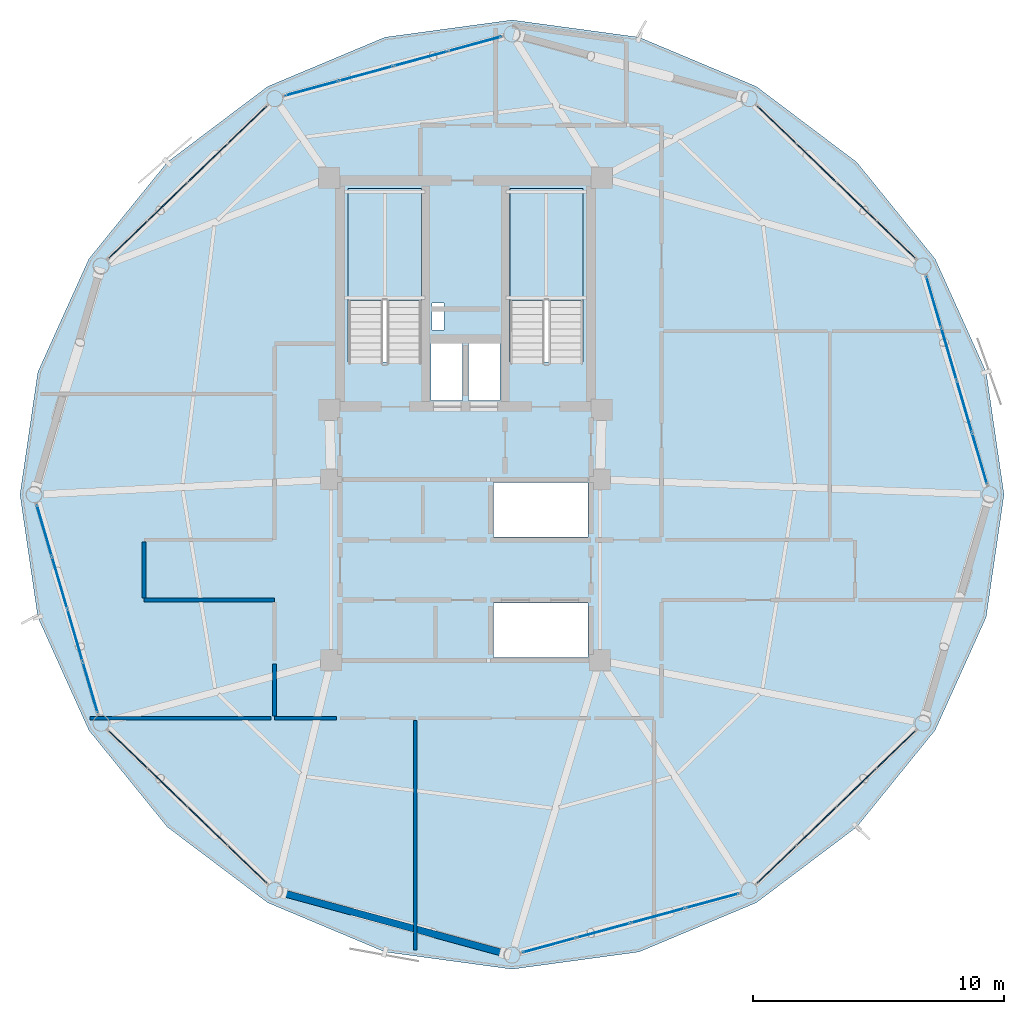
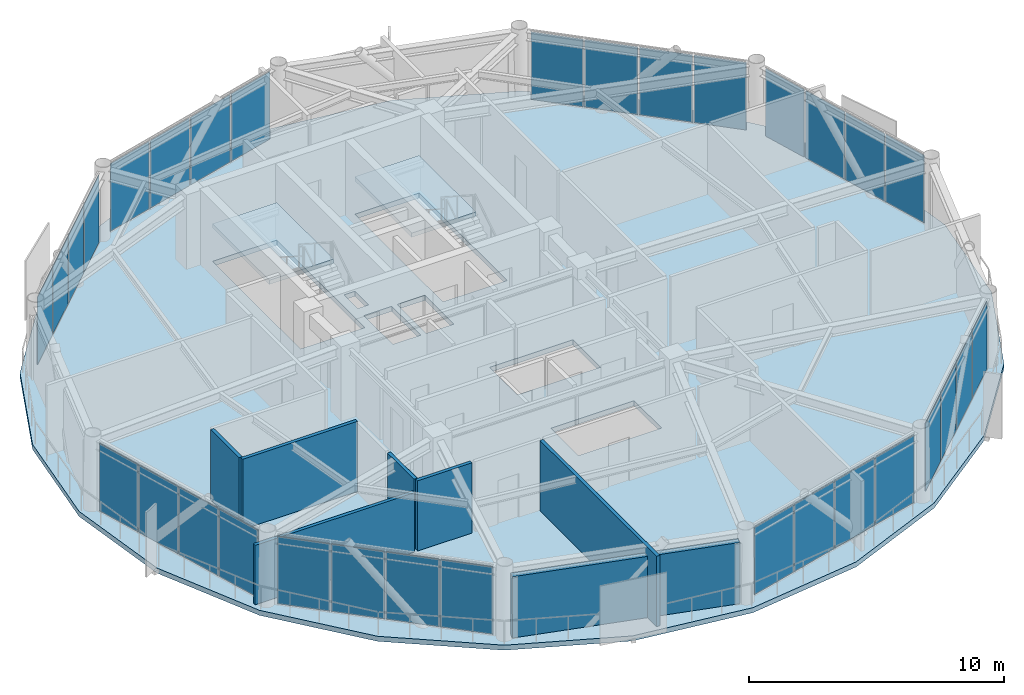
# One storey, part 20 of 26: 32 plates, 7 walls, 3 slabs, 10 elements without a shape of their own.
"""IFC4 building model written with IfcOpenShell, lengths in metres."""

from ifc_helpers import new_model, si_unit, direction, frame, frame_2d, origin, origin_2d, place, context, subcontext, project, spatial, polyline, rectangle, outline, extrude, source, transform, mapped, material, layer, layer_set, type_object, type_shapes, element, aggregate, save


model = new_model("IFC4")

# Units and contexts
model_context = context("Model", 3, precision=1e-05, world=origin(), true_north=direction((0.0, 1.0)))
body_context = subcontext(model_context, "Body", "Model", "MODEL_VIEW")
ifc_project = project(units=[si_unit("LENGTHUNIT", "METRE"), si_unit("AREAUNIT", "SQUARE_METRE"), si_unit("VOLUMEUNIT", "CUBIC_METRE"), si_unit("PLANEANGLEUNIT", "RADIAN"), si_unit("MASSUNIT", "GRAM", prefix="KILO")], contexts=[model_context])

# Site, building, storey
site_placement = place(None, origin())
site = spatial("IfcSite", under=ifc_project, at=site_placement, CompositionType="ELEMENT")
building_placement = place(site_placement, origin())
building = spatial("IfcBuilding", under=site, at=building_placement, Name="Varnakorn Sky Granary", CompositionType="ELEMENT")
storey_placement = place(building_placement, frame((0.0, 0.0, 218.39990234375)))
storey = spatial("IfcBuildingStorey", under=building, at=storey_placement, Name="L55", CompositionType="ELEMENT", Elevation=218.39990234375)

# Stair, slab
ifc_material_1 = material(Name="Concrete C40/50", Category="concrete")
stair_type = type_object("IfcStairType", Name="ST-MAIN-ASSEMBLY", PredefinedType="HALF_TURN_STAIR", material=ifc_material_1)
stair_1_placement = place(storey_placement, origin())
stair_1 = element("IfcStair", 1, at=stair_1_placement, inside=storey, type_object=stair_type, Name="L55 Protected Exit Stair ST-1", PredefinedType="HALF_TURN_STAIR")
ifc_layer_1 = layer(ifc_material_1, 0.199951171875, Name="Concrete C40/50")
ifc_layer_set_1 = layer_set([ifc_layer_1], Name="Concrete C40/50")
slab_type_1 = type_object("IfcSlabType", Name="ST-MAIN-LAND", PredefinedType="LANDING", material=ifc_layer_set_1)
slab_1_placement = place(storey_placement, frame((0.0, 0.0, 1.60009765625)))
slab_1 = element("IfcSlab", 2, at=slab_1_placement, type_object=slab_type_1, Name="ST-1 landing 1", PredefinedType="LANDING", context=body_context, shape_type="SweptSolid", body=[
    extrude(outline(polyline([(1.239990234375, 7.719970703125), (1.239990234375, 12.179931640625), (-1.669921875, 12.179931640625), (-1.669921875, 7.719970703125), (1.239990234375, 7.719970703125)])), origin(), (0.0, 0.0, 1.0), 0.199951171875),
])
aggregate(stair_1, [slab_1])

stair_2_placement = place(storey_placement, origin())
stair_2 = element("IfcStair", 3, at=stair_2_placement, inside=storey, type_object=stair_type, Name="L55 Protected Exit Stair ST-2", PredefinedType="HALF_TURN_STAIR")
slab_2_placement = place(storey_placement, frame((0.0, 0.0, 1.60009765625)))
slab_2 = element("IfcSlab", 4, at=slab_2_placement, type_object=slab_type_1, Name="ST-2 landing 1", PredefinedType="LANDING", context=body_context, shape_type="SweptSolid", body=[
    extrude(outline(polyline([(7.679931640625, 7.719970703125), (7.679931640625, 12.179931640625), (4.77001953125, 12.179931640625), (4.77001953125, 7.719970703125), (7.679931640625, 7.719970703125)])), origin(), (0.0, 0.0, 1.0), 0.199951171875),
])
aggregate(stair_2, [slab_2])

# Slab
ifc_material_2 = material(Name="Concrete C50/60", Category="concrete")
ifc_layer_2 = layer(ifc_material_2, 0.239990234375, Name="Concrete C50/60")
ifc_layer_set_2 = layer_set([ifc_layer_2], Name="Concrete C50/60")
slab_type_2 = type_object("IfcSlabType", Name="ST-SL-TWR-240", PredefinedType="FLOOR", material=ifc_layer_set_2)
slab_3_placement = place(storey_placement, frame((0.0, 0.0, -0.239990234375)))
element("IfcSlab", 5, at=slab_3_placement, inside=storey, type_object=slab_type_2, Name="Level L55 Structural Floor Slab", PredefinedType="FLOOR", context=body_context, shape_type="SweptSolid", body=[
    extrude(outline(polyline([(24.43701171875, 0.0), (23.72607421875, 4.87841796875), (21.69580078125, 9.37939453125), (18.57275390625, 13.23291015625), (14.575927734375, 16.245849609375), (9.90771484375, 18.206787109375), (4.85009765625, 18.89404296875), (-0.207763671875, 18.206787109375), (-4.8759765625, 16.245849609375), (-8.872802734375, 13.23291015625), (-11.995849609375, 9.37939453125), (-14.026123046875, 4.87841796875), (-14.737060546875, 0.0), (-14.026123046875, -4.87841796875), (-11.995849609375, -9.37939453125), (-8.872802734375, -13.23291015625), (-4.8759765625, -16.245849609375), (-0.207763671875, -18.206787109375), (4.85009765625, -18.89404296875), (9.90771484375, -18.206787109375), (14.575927734375, -16.245849609375), (18.57275390625, -13.23291015625), (21.69580078125, -9.37939453125), (23.72607421875, -4.87841796875), (24.43701171875, 0.0)]), holes=[polyline([(1.239990234375, 5.27490234375), (1.239990234375, 12.179931640625), (-1.669921875, 12.179931640625), (-1.669921875, 5.27490234375), (1.239990234375, 5.27490234375)]), polyline([(7.679931640625, 5.27490234375), (7.679931640625, 12.179931640625), (4.77001953125, 12.179931640625), (4.77001953125, 5.27490234375), (7.679931640625, 5.27490234375)]), polyline([(1.659912109375, 6.550048828125), (2.14990234375, 6.550048828125), (2.14990234375, 7.6201171875), (1.659912109375, 7.6201171875), (1.659912109375, 6.550048828125)]), polyline([(1.6201171875, 3.739990234375), (2.8798828125, 3.739990234375), (2.8798828125, 6.010009765625), (1.6201171875, 6.010009765625), (1.6201171875, 3.739990234375)]), polyline([(3.1201171875, 3.739990234375), (4.3798828125, 3.739990234375), (4.3798828125, 6.010009765625), (3.1201171875, 6.010009765625), (3.1201171875, 3.739990234375)]), polyline([(4.1201171875, -1.679931640625), (7.8798828125, -1.679931640625), (7.8798828125, 0.47998046875), (4.1201171875, 0.47998046875), (4.1201171875, -1.679931640625)]), polyline([(4.1201171875, -6.47998046875), (7.8798828125, -6.47998046875), (7.8798828125, -4.320068359375), (4.1201171875, -4.320068359375), (4.1201171875, -6.47998046875)])]), origin(), (0.0, 0.0, 1.0), 0.239990234375),
])

# Curtain wall, plates
ifc_material_3 = material(Name="Anodised Bronze Aluminium Alloy 6063-T6", Category="aluminium")
ifc_layer_3 = layer(ifc_material_3, 0.169921875, Name="Anodised Bronze Aluminium Alloy 6063-T6")
ifc_layer_set_3 = layer_set([ifc_layer_3], Name="Anodised Bronze Aluminium Alloy 6063-T6")
curtain_wall_type = type_object("IfcCurtainWallType", Name="CW-LAB-1", PredefinedType="USERDEFINED", material=ifc_layer_set_3)
curtain_wall_1_placement = place(storey_placement, origin())
curtain_wall_1 = element("IfcCurtainWall", 6, at=curtain_wall_1_placement, inside=storey, type_object=curtain_wall_type, Name="Unitised Curtain Wall CW5 CW-L55-B01", ObjectType="CURTAIN WALL", PredefinedType="USERDEFINED")
ifc_material_4 = material(Name="Low-E Tinted Laminated Glass", Category="glass")
ifc_layer_4 = layer(ifc_material_4, 0.033935546875, Name="Low-E Tinted Laminated Glass")
ifc_layer_set_4 = layer_set([ifc_layer_4], Name="Low-E Tinted Laminated Glass")
plate_type = type_object("IfcPlateType", Name="CW-LAB-1-PNL", PredefinedType="CURTAIN_PANEL")
shared_shape_1 = source(origin(), body_context, "Body", "SweptSolid", [
    extrude(rectangle(XDim=2.079345703125, YDim=0.033935546875, at=origin_2d()), origin(), (0.0, 0.0, 1.0), 3.219970703125),
])
plate_1_placement = place(storey_placement, frame((21.639892578125, 7.670166015625, 0.0703125), z_axis=(0.0, 0.0, 1.0), x_axis=(0.281149535416, -0.959663971781, 0.0)))
plate_1 = element("IfcPlate", 7, at=plate_1_placement, type_object=plate_type, material=ifc_layer_set_4, Name="CW5 vision glazing unit 1.1", PredefinedType="CURTAIN_PANEL", context=body_context, shape_type="MappedRepresentation", body=[
    mapped(shared_shape_1, transform((0.0, 0.0, 0.0), x_axis=(1.0, 0.0, 0.0), y_axis=(0.0, 1.0, 0.0), z_axis=(0.0, 0.0, 1.0), scale=1.0)),
])
plate_2_placement = place(storey_placement, frame((23.466796875, 1.434326171875, 0.0703125), z_axis=(0.0, 0.0, 1.0), x_axis=(0.281149535416, -0.959663971781, 0.0)))
plate_2 = element("IfcPlate", 8, at=plate_2_placement, type_object=plate_type, material=ifc_layer_set_4, Name="CW5 vision glazing unit 4.1", PredefinedType="CURTAIN_PANEL", context=body_context, shape_type="MappedRepresentation", body=[
    mapped(shared_shape_1, transform((0.0, 0.0, 0.0), x_axis=(1.0, 0.0, 0.0), y_axis=(0.0, 1.0, 0.0), z_axis=(0.0, 0.0, 1.0), scale=1.0)),
])

curtain_wall_2_placement = place(storey_placement, origin())
curtain_wall_2 = element("IfcCurtainWall", 9, at=curtain_wall_2_placement, inside=storey, type_object=curtain_wall_type, Name="Unitised Curtain Wall CW5 CW-L55-B07", ObjectType="CURTAIN WALL", PredefinedType="USERDEFINED")
plate_3_placement = place(storey_placement, frame((-11.93994140625, -7.670166015625, 0.0703125), z_axis=(0.0, 0.0, 1.0), x_axis=(-0.281149535416, 0.959663971781, 0.0)))
plate_3 = element("IfcPlate", 10, at=plate_3_placement, type_object=plate_type, material=ifc_layer_set_4, Name="CW5 vision glazing unit 1.1", PredefinedType="CURTAIN_PANEL", context=body_context, shape_type="MappedRepresentation", body=[
    mapped(shared_shape_1, transform((0.0, 0.0, 0.0), x_axis=(1.0, 0.0, 0.0), y_axis=(0.0, 1.0, 0.0), z_axis=(0.0, 0.0, 1.0), scale=1.0)),
])
plate_4_placement = place(storey_placement, frame((-13.766845703125, -1.434326171875, 0.0703125), z_axis=(0.0, 0.0, 1.0), x_axis=(-0.281149535416, 0.959663971781, 0.0)))
plate_4 = element("IfcPlate", 11, at=plate_4_placement, type_object=plate_type, material=ifc_layer_set_4, Name="CW5 vision glazing unit 4.1", PredefinedType="CURTAIN_PANEL", context=body_context, shape_type="MappedRepresentation", body=[
    mapped(shared_shape_1, transform((0.0, 0.0, 0.0), x_axis=(1.0, 0.0, 0.0), y_axis=(0.0, 1.0, 0.0), z_axis=(0.0, 0.0, 1.0), scale=1.0)),
])

# Plate
ifc_material_5 = material(Name="Opaque Insulated Aluminium Shadow-Box Unit", Category="aluminium")
ifc_layer_5 = layer(ifc_material_5, 0.033935546875, Name="Opaque Insulated Aluminium Shadow-Box Unit")
ifc_layer_set_5 = layer_set([ifc_layer_5], Name="Opaque Insulated Aluminium Shadow-Box Unit")
shared_shape_2 = source(origin(), body_context, "Body", "SweptSolid", [
    extrude(rectangle(XDim=2.11181640625, YDim=0.033935546875, at=origin_2d()), origin(), (0.0, 0.0, 1.0), 3.219970703125),
])
plate_5_placement = place(storey_placement, frame((22.247314453125, 5.5966796875, 0.0703125), z_axis=(0.0, 0.0, 1.0), x_axis=(0.281149535416, -0.959663971781, 0.0)))
plate_5 = element("IfcPlate", 12, at=plate_5_placement, type_object=plate_type, material=ifc_layer_set_5, Name="CW5 opaque insulated shadow-box unit 2.1", PredefinedType="CURTAIN_PANEL", context=body_context, shape_type="MappedRepresentation", body=[
    mapped(shared_shape_2, transform((0.0, 0.0, 0.0), x_axis=(1.0, 0.0, 0.0), y_axis=(0.0, 1.0, 0.0), z_axis=(0.0, 0.0, 1.0), scale=1.0)),
])

plate_6_placement = place(storey_placement, frame((22.859375, 3.5078125, 0.0703125), z_axis=(0.0, 0.0, 1.0), x_axis=(0.281149535416, -0.959663971781, 0.0)))
plate_6 = element("IfcPlate", 13, at=plate_6_placement, type_object=plate_type, material=ifc_layer_set_5, Name="CW5 opaque insulated shadow-box unit 3.1", PredefinedType="CURTAIN_PANEL", context=body_context, shape_type="MappedRepresentation", body=[
    mapped(shared_shape_2, transform((0.0, 0.0, 0.0), x_axis=(1.0, 0.0, 0.0), y_axis=(0.0, 1.0, 0.0), z_axis=(0.0, 0.0, 1.0), scale=1.0)),
])

aggregate(curtain_wall_1, [plate_1, plate_5, plate_6, plate_2])

plate_7_placement = place(storey_placement, frame((-12.54736328125, -5.5966796875, 0.0703125), z_axis=(0.0, 0.0, 1.0), x_axis=(-0.281149535416, 0.959663971781, 0.0)))
plate_7 = element("IfcPlate", 14, at=plate_7_placement, type_object=plate_type, material=ifc_layer_set_5, Name="CW5 opaque insulated shadow-box unit 2.1", PredefinedType="CURTAIN_PANEL", context=body_context, shape_type="MappedRepresentation", body=[
    mapped(shared_shape_2, transform((0.0, 0.0, 0.0), x_axis=(1.0, 0.0, 0.0), y_axis=(0.0, 1.0, 0.0), z_axis=(0.0, 0.0, 1.0), scale=1.0)),
])

plate_8_placement = place(storey_placement, frame((-13.1591796875, -3.5078125, 0.0703125), z_axis=(0.0, 0.0, 1.0), x_axis=(-0.281149535416, 0.959663971781, 0.0)))
plate_8 = element("IfcPlate", 15, at=plate_8_placement, type_object=plate_type, material=ifc_layer_set_5, Name="CW5 opaque insulated shadow-box unit 3.1", PredefinedType="CURTAIN_PANEL", context=body_context, shape_type="MappedRepresentation", body=[
    mapped(shared_shape_2, transform((0.0, 0.0, 0.0), x_axis=(1.0, 0.0, 0.0), y_axis=(0.0, 1.0, 0.0), z_axis=(0.0, 0.0, 1.0), scale=1.0)),
])

aggregate(curtain_wall_2, [plate_3, plate_7, plate_8, plate_4])

# Curtain wall, plates
curtain_wall_3_placement = place(storey_placement, origin())
curtain_wall_3 = element("IfcCurtainWall", 16, at=curtain_wall_3_placement, inside=storey, type_object=curtain_wall_type, Name="Unitised Curtain Wall CW5 CW-L55-B02", ObjectType="CURTAIN WALL", PredefinedType="USERDEFINED")
shared_shape_3 = source(origin(), body_context, "Body", "SweptSolid", [
    extrude(rectangle(XDim=2.109130859375, YDim=0.033935546875, at=origin_2d()), origin(), (0.0, 0.0, 1.0), 3.219970703125),
])
plate_9_placement = place(storey_placement, frame((15.38818359375, 14.72216796875, 0.0703125), z_axis=(0.0, 0.0, 1.0), x_axis=(0.72018224763, -0.693784930795, 0.0)))
plate_9 = element("IfcPlate", 17, at=plate_9_placement, type_object=plate_type, material=ifc_layer_set_4, Name="CW5 vision glazing unit 1.1", PredefinedType="CURTAIN_PANEL", context=body_context, shape_type="MappedRepresentation", body=[
    mapped(shared_shape_3, transform((0.0, 0.0, 0.0), x_axis=(1.0, 0.0, 0.0), y_axis=(0.0, 1.0, 0.0), z_axis=(0.0, 0.0, 1.0), scale=1.0)),
])
plate_10_placement = place(storey_placement, frame((20.13232421875, 10.15185546875, 0.0703125), z_axis=(0.0, 0.0, 1.0), x_axis=(0.72018224763, -0.693784930795, 0.0)))
plate_10 = element("IfcPlate", 18, at=plate_10_placement, type_object=plate_type, material=ifc_layer_set_4, Name="CW5 vision glazing unit 4.1", PredefinedType="CURTAIN_PANEL", context=body_context, shape_type="MappedRepresentation", body=[
    mapped(shared_shape_3, transform((0.0, 0.0, 0.0), x_axis=(1.0, 0.0, 0.0), y_axis=(0.0, 1.0, 0.0), z_axis=(0.0, 0.0, 1.0), scale=1.0)),
])

curtain_wall_4_placement = place(storey_placement, origin())
curtain_wall_4 = element("IfcCurtainWall", 19, at=curtain_wall_4_placement, inside=storey, type_object=curtain_wall_type, Name="Unitised Curtain Wall CW5 CW-L55-B05", ObjectType="CURTAIN WALL", PredefinedType="USERDEFINED")
plate_11_placement = place(storey_placement, frame((-10.432373046875, 10.15185546875, 0.0703125), z_axis=(0.0, 0.0, 1.0), x_axis=(0.72018224763, 0.693784930795, 0.0)))
plate_11 = element("IfcPlate", 20, at=plate_11_placement, type_object=plate_type, material=ifc_layer_set_4, Name="CW5 vision glazing unit 1.1", PredefinedType="CURTAIN_PANEL", context=body_context, shape_type="MappedRepresentation", body=[
    mapped(shared_shape_3, transform((0.0, 0.0, 0.0), x_axis=(1.0, 0.0, 0.0), y_axis=(0.0, 1.0, 0.0), z_axis=(0.0, 0.0, 1.0), scale=1.0)),
])
plate_12_placement = place(storey_placement, frame((-5.688232421875, 14.72216796875, 0.0703125), z_axis=(0.0, 0.0, 1.0), x_axis=(0.72018224763, 0.693784930795, 0.0)))
plate_12 = element("IfcPlate", 21, at=plate_12_placement, type_object=plate_type, material=ifc_layer_set_4, Name="CW5 vision glazing unit 4.1", PredefinedType="CURTAIN_PANEL", context=body_context, shape_type="MappedRepresentation", body=[
    mapped(shared_shape_3, transform((0.0, 0.0, 0.0), x_axis=(1.0, 0.0, 0.0), y_axis=(0.0, 1.0, 0.0), z_axis=(0.0, 0.0, 1.0), scale=1.0)),
])

curtain_wall_5_placement = place(storey_placement, origin())
curtain_wall_5 = element("IfcCurtainWall", 22, at=curtain_wall_5_placement, inside=storey, type_object=curtain_wall_type, Name="Unitised Curtain Wall CW5 CW-L55-B08", ObjectType="CURTAIN WALL", PredefinedType="USERDEFINED")
plate_13_placement = place(storey_placement, frame((-5.688232421875, -14.72216796875, 0.0703125), z_axis=(0.0, 0.0, 1.0), x_axis=(-0.72018224763, 0.693784930795, 0.0)))
plate_13 = element("IfcPlate", 23, at=plate_13_placement, type_object=plate_type, material=ifc_layer_set_4, Name="CW5 vision glazing unit 1.1", PredefinedType="CURTAIN_PANEL", context=body_context, shape_type="MappedRepresentation", body=[
    mapped(shared_shape_3, transform((0.0, 0.0, 0.0), x_axis=(1.0, 0.0, 0.0), y_axis=(0.0, 1.0, 0.0), z_axis=(0.0, 0.0, 1.0), scale=1.0)),
])
plate_14_placement = place(storey_placement, frame((-10.432373046875, -10.15185546875, 0.0703125), z_axis=(0.0, 0.0, 1.0), x_axis=(-0.72018224763, 0.693784930795, 0.0)))
plate_14 = element("IfcPlate", 24, at=plate_14_placement, type_object=plate_type, material=ifc_layer_set_4, Name="CW5 vision glazing unit 4.1", PredefinedType="CURTAIN_PANEL", context=body_context, shape_type="MappedRepresentation", body=[
    mapped(shared_shape_3, transform((0.0, 0.0, 0.0), x_axis=(1.0, 0.0, 0.0), y_axis=(0.0, 1.0, 0.0), z_axis=(0.0, 0.0, 1.0), scale=1.0)),
])

curtain_wall_6_placement = place(storey_placement, origin())
curtain_wall_6 = element("IfcCurtainWall", 25, at=curtain_wall_6_placement, inside=storey, type_object=curtain_wall_type, Name="Unitised Curtain Wall CW5 CW-L55-B11", ObjectType="CURTAIN WALL", PredefinedType="USERDEFINED")
plate_15_placement = place(storey_placement, frame((20.13232421875, -10.15185546875, 0.0703125), z_axis=(0.0, 0.0, 1.0), x_axis=(-0.72018224763, -0.693784930795, 0.0)))
plate_15 = element("IfcPlate", 26, at=plate_15_placement, type_object=plate_type, material=ifc_layer_set_4, Name="CW5 vision glazing unit 1.1", PredefinedType="CURTAIN_PANEL", context=body_context, shape_type="MappedRepresentation", body=[
    mapped(shared_shape_3, transform((0.0, 0.0, 0.0), x_axis=(1.0, 0.0, 0.0), y_axis=(0.0, 1.0, 0.0), z_axis=(0.0, 0.0, 1.0), scale=1.0)),
])
plate_16_placement = place(storey_placement, frame((15.38818359375, -14.72216796875, 0.0703125), z_axis=(0.0, 0.0, 1.0), x_axis=(-0.72018224763, -0.693784930795, 0.0)))
plate_16 = element("IfcPlate", 27, at=plate_16_placement, type_object=plate_type, material=ifc_layer_set_4, Name="CW5 vision glazing unit 4.1", PredefinedType="CURTAIN_PANEL", context=body_context, shape_type="MappedRepresentation", body=[
    mapped(shared_shape_3, transform((0.0, 0.0, 0.0), x_axis=(1.0, 0.0, 0.0), y_axis=(0.0, 1.0, 0.0), z_axis=(0.0, 0.0, 1.0), scale=1.0)),
])

# Plate
shared_shape_4 = source(origin(), body_context, "Body", "SweptSolid", [
    extrude(rectangle(XDim=2.1416015625, YDim=0.033935546875, at=origin_2d()), origin(), (0.0, 0.0, 1.0), 3.219970703125),
])
plate_17_placement = place(storey_placement, frame((16.9658203125, 13.202392578125, 0.0703125), z_axis=(0.0, 0.0, 1.0), x_axis=(0.72018224763, -0.693784930795, 0.0)))
plate_17 = element("IfcPlate", 28, at=plate_17_placement, type_object=plate_type, material=ifc_layer_set_5, Name="CW5 opaque insulated shadow-box unit 2.1", PredefinedType="CURTAIN_PANEL", context=body_context, shape_type="MappedRepresentation", body=[
    mapped(shared_shape_4, transform((0.0, 0.0, 0.0), x_axis=(1.0, 0.0, 0.0), y_axis=(0.0, 1.0, 0.0), z_axis=(0.0, 0.0, 1.0), scale=1.0)),
])

plate_18_placement = place(storey_placement, frame((18.554931640625, 11.671630859375, 0.0703125), z_axis=(0.0, 0.0, 1.0), x_axis=(0.72018224763, -0.693784930795, 0.0)))
plate_18 = element("IfcPlate", 29, at=plate_18_placement, type_object=plate_type, material=ifc_layer_set_5, Name="CW5 opaque insulated shadow-box unit 3.1", PredefinedType="CURTAIN_PANEL", context=body_context, shape_type="MappedRepresentation", body=[
    mapped(shared_shape_4, transform((0.0, 0.0, 0.0), x_axis=(1.0, 0.0, 0.0), y_axis=(0.0, 1.0, 0.0), z_axis=(0.0, 0.0, 1.0), scale=1.0)),
])

aggregate(curtain_wall_3, [plate_9, plate_17, plate_18, plate_10])

plate_19_placement = place(storey_placement, frame((-8.85498046875, 11.671630859375, 0.0703125), z_axis=(0.0, 0.0, 1.0), x_axis=(0.72018224763, 0.693784930795, 0.0)))
plate_19 = element("IfcPlate", 30, at=plate_19_placement, type_object=plate_type, material=ifc_layer_set_5, Name="CW5 opaque insulated shadow-box unit 2.1", PredefinedType="CURTAIN_PANEL", context=body_context, shape_type="MappedRepresentation", body=[
    mapped(shared_shape_4, transform((0.0, 0.0, 0.0), x_axis=(1.0, 0.0, 0.0), y_axis=(0.0, 1.0, 0.0), z_axis=(0.0, 0.0, 1.0), scale=1.0)),
])

plate_20_placement = place(storey_placement, frame((-7.265625, 13.202392578125, 0.0703125), z_axis=(0.0, 0.0, 1.0), x_axis=(0.72018224763, 0.693784930795, 0.0)))
plate_20 = element("IfcPlate", 31, at=plate_20_placement, type_object=plate_type, material=ifc_layer_set_5, Name="CW5 opaque insulated shadow-box unit 3.1", PredefinedType="CURTAIN_PANEL", context=body_context, shape_type="MappedRepresentation", body=[
    mapped(shared_shape_4, transform((0.0, 0.0, 0.0), x_axis=(1.0, 0.0, 0.0), y_axis=(0.0, 1.0, 0.0), z_axis=(0.0, 0.0, 1.0), scale=1.0)),
])

aggregate(curtain_wall_4, [plate_11, plate_19, plate_20, plate_12])

plate_21_placement = place(storey_placement, frame((-7.265625, -13.202392578125, 0.0703125), z_axis=(0.0, 0.0, 1.0), x_axis=(-0.72018224763, 0.693784930795, 0.0)))
plate_21 = element("IfcPlate", 32, at=plate_21_placement, type_object=plate_type, material=ifc_layer_set_5, Name="CW5 opaque insulated shadow-box unit 2.1", PredefinedType="CURTAIN_PANEL", context=body_context, shape_type="MappedRepresentation", body=[
    mapped(shared_shape_4, transform((0.0, 0.0, 0.0), x_axis=(1.0, 0.0, 0.0), y_axis=(0.0, 1.0, 0.0), z_axis=(0.0, 0.0, 1.0), scale=1.0)),
])

plate_22_placement = place(storey_placement, frame((-8.85498046875, -11.671630859375, 0.0703125), z_axis=(0.0, 0.0, 1.0), x_axis=(-0.72018224763, 0.693784930795, 0.0)))
plate_22 = element("IfcPlate", 33, at=plate_22_placement, type_object=plate_type, material=ifc_layer_set_5, Name="CW5 opaque insulated shadow-box unit 3.1", PredefinedType="CURTAIN_PANEL", context=body_context, shape_type="MappedRepresentation", body=[
    mapped(shared_shape_4, transform((0.0, 0.0, 0.0), x_axis=(1.0, 0.0, 0.0), y_axis=(0.0, 1.0, 0.0), z_axis=(0.0, 0.0, 1.0), scale=1.0)),
])

aggregate(curtain_wall_5, [plate_13, plate_21, plate_22, plate_14])

plate_23_placement = place(storey_placement, frame((18.554931640625, -11.671630859375, 0.0703125), z_axis=(0.0, 0.0, 1.0), x_axis=(-0.72018224763, -0.693784930795, 0.0)))
plate_23 = element("IfcPlate", 34, at=plate_23_placement, type_object=plate_type, material=ifc_layer_set_5, Name="CW5 opaque insulated shadow-box unit 2.1", PredefinedType="CURTAIN_PANEL", context=body_context, shape_type="MappedRepresentation", body=[
    mapped(shared_shape_4, transform((0.0, 0.0, 0.0), x_axis=(1.0, 0.0, 0.0), y_axis=(0.0, 1.0, 0.0), z_axis=(0.0, 0.0, 1.0), scale=1.0)),
])

plate_24_placement = place(storey_placement, frame((16.9658203125, -13.202392578125, 0.0703125), z_axis=(0.0, 0.0, 1.0), x_axis=(-0.72018224763, -0.693784930795, 0.0)))
plate_24 = element("IfcPlate", 35, at=plate_24_placement, type_object=plate_type, material=ifc_layer_set_5, Name="CW5 opaque insulated shadow-box unit 3.1", PredefinedType="CURTAIN_PANEL", context=body_context, shape_type="MappedRepresentation", body=[
    mapped(shared_shape_4, transform((0.0, 0.0, 0.0), x_axis=(1.0, 0.0, 0.0), y_axis=(0.0, 1.0, 0.0), z_axis=(0.0, 0.0, 1.0), scale=1.0)),
])

aggregate(curtain_wall_6, [plate_15, plate_23, plate_24, plate_16])

# Curtain wall, plates
curtain_wall_7_placement = place(storey_placement, origin())
curtain_wall_7 = element("IfcCurtainWall", 36, at=curtain_wall_7_placement, inside=storey, type_object=curtain_wall_type, Name="Unitised Curtain Wall CW5 CW-L55-B04", ObjectType="CURTAIN WALL", PredefinedType="USERDEFINED")
shared_shape_5 = source(origin(), body_context, "Body", "SweptSolid", [
    extrude(rectangle(XDim=2.15625, YDim=0.033935546875, at=origin_2d()), origin(), (0.0, 0.0, 1.0), 3.219970703125),
])
plate_25_placement = place(storey_placement, frame((-3.121826171875, 16.17236328125, 0.0703125), z_axis=(0.0, 0.0, 1.0), x_axis=(0.964842362053, 0.262829253294, 0.0)))
plate_25 = element("IfcPlate", 37, at=plate_25_placement, type_object=plate_type, material=ifc_layer_set_4, Name="CW5 vision glazing unit 1.1", PredefinedType="CURTAIN_PANEL", context=body_context, shape_type="MappedRepresentation", body=[
    mapped(shared_shape_5, transform((0.0, 0.0, 0.0), x_axis=(1.0, 0.0, 0.0), y_axis=(0.0, 1.0, 0.0), z_axis=(0.0, 0.0, 1.0), scale=1.0)),
])
plate_26_placement = place(storey_placement, frame((3.37060546875, 17.941162109375, 0.0703125), z_axis=(0.0, 0.0, 1.0), x_axis=(0.964842362053, 0.262829253294, 0.0)))
plate_26 = element("IfcPlate", 38, at=plate_26_placement, type_object=plate_type, material=ifc_layer_set_4, Name="CW5 vision glazing unit 4.1", PredefinedType="CURTAIN_PANEL", context=body_context, shape_type="MappedRepresentation", body=[
    mapped(shared_shape_5, transform((0.0, 0.0, 0.0), x_axis=(1.0, 0.0, 0.0), y_axis=(0.0, 1.0, 0.0), z_axis=(0.0, 0.0, 1.0), scale=1.0)),
])

curtain_wall_8_placement = place(storey_placement, origin())
curtain_wall_8 = element("IfcCurtainWall", 39, at=curtain_wall_8_placement, inside=storey, type_object=curtain_wall_type, Name="Unitised Curtain Wall CW5 CW-L55-B10", ObjectType="CURTAIN WALL", PredefinedType="USERDEFINED")
plate_27_placement = place(storey_placement, frame((12.82177734375, -16.17236328125, 0.0703125), z_axis=(0.0, 0.0, 1.0), x_axis=(-0.964842362053, -0.262829253294, 0.0)))
plate_27 = element("IfcPlate", 40, at=plate_27_placement, type_object=plate_type, material=ifc_layer_set_4, Name="CW5 vision glazing unit 1.1", PredefinedType="CURTAIN_PANEL", context=body_context, shape_type="MappedRepresentation", body=[
    mapped(shared_shape_5, transform((0.0, 0.0, 0.0), x_axis=(1.0, 0.0, 0.0), y_axis=(0.0, 1.0, 0.0), z_axis=(0.0, 0.0, 1.0), scale=1.0)),
])
plate_28_placement = place(storey_placement, frame((6.329345703125, -17.941162109375, 0.0703125), z_axis=(0.0, 0.0, 1.0), x_axis=(-0.964842362053, -0.262829253294, 0.0)))
plate_28 = element("IfcPlate", 41, at=plate_28_placement, type_object=plate_type, material=ifc_layer_set_4, Name="CW5 vision glazing unit 4.1", PredefinedType="CURTAIN_PANEL", context=body_context, shape_type="MappedRepresentation", body=[
    mapped(shared_shape_5, transform((0.0, 0.0, 0.0), x_axis=(1.0, 0.0, 0.0), y_axis=(0.0, 1.0, 0.0), z_axis=(0.0, 0.0, 1.0), scale=1.0)),
])

# Plate
shared_shape_6 = source(origin(), body_context, "Body", "SweptSolid", [
    extrude(rectangle(XDim=2.188720703125, YDim=0.033935546875, at=origin_2d()), origin(), (0.0, 0.0, 1.0), 3.219970703125),
])
type_shapes(plate_type, [shared_shape_1, shared_shape_2, shared_shape_3, shared_shape_4, shared_shape_5, shared_shape_6])
plate_29_placement = place(storey_placement, frame((-0.962890625, 16.760498046875, 0.0703125), z_axis=(0.0, 0.0, 1.0), x_axis=(0.964842362053, 0.262829253294, 0.0)))
plate_29 = element("IfcPlate", 42, at=plate_29_placement, type_object=plate_type, material=ifc_layer_set_5, Name="CW5 opaque insulated shadow-box unit 2.1", PredefinedType="CURTAIN_PANEL", context=body_context, shape_type="MappedRepresentation", body=[
    mapped(shared_shape_6, transform((0.0, 0.0, 0.0), x_axis=(1.0, 0.0, 0.0), y_axis=(0.0, 1.0, 0.0), z_axis=(0.0, 0.0, 1.0), scale=1.0)),
])

plate_30_placement = place(storey_placement, frame((1.2119140625, 17.35302734375, 0.0703125), z_axis=(0.0, 0.0, 1.0), x_axis=(0.964842362053, 0.262829253294, 0.0)))
plate_30 = element("IfcPlate", 43, at=plate_30_placement, type_object=plate_type, material=ifc_layer_set_5, Name="CW5 opaque insulated shadow-box unit 3.1", PredefinedType="CURTAIN_PANEL", context=body_context, shape_type="MappedRepresentation", body=[
    mapped(shared_shape_6, transform((0.0, 0.0, 0.0), x_axis=(1.0, 0.0, 0.0), y_axis=(0.0, 1.0, 0.0), z_axis=(0.0, 0.0, 1.0), scale=1.0)),
])

aggregate(curtain_wall_7, [plate_25, plate_29, plate_30, plate_26])

plate_31_placement = place(storey_placement, frame((10.662841796875, -16.760498046875, 0.0703125), z_axis=(0.0, 0.0, 1.0), x_axis=(-0.964842362053, -0.262829253294, 0.0)))
plate_31 = element("IfcPlate", 44, at=plate_31_placement, type_object=plate_type, material=ifc_layer_set_5, Name="CW5 opaque insulated shadow-box unit 2.1", PredefinedType="CURTAIN_PANEL", context=body_context, shape_type="MappedRepresentation", body=[
    mapped(shared_shape_6, transform((0.0, 0.0, 0.0), x_axis=(1.0, 0.0, 0.0), y_axis=(0.0, 1.0, 0.0), z_axis=(0.0, 0.0, 1.0), scale=1.0)),
])

plate_32_placement = place(storey_placement, frame((8.48828125, -17.35302734375, 0.0703125), z_axis=(0.0, 0.0, 1.0), x_axis=(-0.964842362053, -0.262829253294, 0.0)))
plate_32 = element("IfcPlate", 45, at=plate_32_placement, type_object=plate_type, material=ifc_layer_set_5, Name="CW5 opaque insulated shadow-box unit 3.1", PredefinedType="CURTAIN_PANEL", context=body_context, shape_type="MappedRepresentation", body=[
    mapped(shared_shape_6, transform((0.0, 0.0, 0.0), x_axis=(1.0, 0.0, 0.0), y_axis=(0.0, 1.0, 0.0), z_axis=(0.0, 0.0, 1.0), scale=1.0)),
])

aggregate(curtain_wall_8, [plate_27, plate_31, plate_32, plate_28])

# Walls
ifc_material_6 = material(Name="Precast concrete C40/50", Category="concrete")
ifc_layer_6 = layer(ifc_material_6, 0.280029296875, Name="Precast concrete C40/50")
ifc_layer_set_6 = layer_set([ifc_layer_6], Name="Precast concrete C40/50")
wall_type_1 = type_object("IfcWallType", Name="WT-EW-CRN-280", PredefinedType="SOLIDWALL", material=ifc_layer_set_6)
wall_1_placement = place(storey_placement, frame((4.574951171875, -18.26904296875, 0.0), z_axis=(0.0, 0.0, 1.0), x_axis=(-0.964845001115, 0.262819565145, 0.0)))
element("IfcWall", 46, at=wall_1_placement, inside=storey, type_object=wall_type_1, Name="Agritech Insulated Precast Facade Wall L55-P09", PredefinedType="SOLIDWALL", context=body_context, shape_type="SweptSolid", body=[
    extrude(rectangle(XDim=9.22509765625, YDim=0.280029296875, at=frame_2d((4.612548828125, 0.0))), origin(), (0.0, 0.0, 1.0), 2.93017578125),
])
ifc_material_7 = material(Name="Gypsum Plasterboard on Steel Stud", Category="steel")
ifc_layer_7 = layer(ifc_material_7, 0.14990234375, Name="Gypsum Plasterboard on Steel Stud")
ifc_layer_set_7 = layer_set([ifc_layer_7], Name="Gypsum Plasterboard on Steel Stud")
wall_type_2 = type_object("IfcWallType", Name="WT-PART-150", PredefinedType="PARTITIONING", material=ifc_layer_set_7)
wall_2_placement = place(storey_placement, frame((-4.60009765625, -8.89990234375, 0.0), z_axis=(0.0, 0.0, 1.0), x_axis=(1.0, 0.0, 0.0)))
element("IfcWall", 47, at=wall_2_placement, inside=storey, type_object=wall_type_2, Name="Interior Partition Wall L55-035", PredefinedType="PARTITIONING", context=body_context, shape_type="SweptSolid", body=[
    extrude(rectangle(XDim=2.465087890625, YDim=0.14990234375, at=frame_2d((1.232421875, 0.0))), origin(), (0.0, 0.0, 1.0), 3.360107421875),
])
wall_3_placement = place(storey_placement, frame((1.0, -8.985107421875, 0.0), z_axis=(0.0, 0.0, 1.0), x_axis=(0.0, -1.0, 0.0)))
element("IfcWall", 48, at=wall_3_placement, inside=storey, type_object=wall_type_2, Name="Interior Partition Wall L55-036", PredefinedType="PARTITIONING", context=body_context, shape_type="SweptSolid", body=[
    extrude(rectangle(XDim=9.14599609375, YDim=0.14990234375, at=frame_2d((4.572998046875, 0.0))), origin(), (0.0, 0.0, 1.0), 3.360107421875),
])
wall_4_placement = place(storey_placement, frame((-11.949951171875, -8.89990234375, 0.0), z_axis=(0.0, 0.0, 1.0), x_axis=(1.0, 0.0, 0.0)))
element("IfcWall", 49, at=wall_4_placement, inside=storey, type_object=wall_type_2, Name="Interior Partition Wall L55-037", PredefinedType="PARTITIONING", context=body_context, shape_type="SweptSolid", body=[
    extrude(rectangle(XDim=7.21484375, YDim=0.14990234375, at=frame_2d((3.607421875, 0.0))), origin(), (0.0, 0.0, 1.0), 2.842041015625),
])
wall_5_placement = place(storey_placement, frame((-9.800048828125, -4.199951171875, 0.0), z_axis=(0.0, 0.0, 1.0), x_axis=(1.0, 0.0, 0.0)))
element("IfcWall", 50, at=wall_5_placement, inside=storey, type_object=wall_type_2, Name="Interior Partition Wall L55-044", PredefinedType="PARTITIONING", context=body_context, shape_type="SweptSolid", body=[
    extrude(rectangle(XDim=5.199951171875, YDim=0.14990234375, at=frame_2d((2.60009765625, 0.0))), origin(), (0.0, 0.0, 1.0), 3.360107421875),
])
wall_6_placement = place(storey_placement, frame((-9.800048828125, -1.885009765625, 0.0), z_axis=(0.0, 0.0, 1.0), x_axis=(0.0, -1.0, 0.0)))
element("IfcWall", 51, at=wall_6_placement, inside=storey, type_object=wall_type_2, Name="Interior Partition Wall L55-045", PredefinedType="PARTITIONING", context=body_context, shape_type="SweptSolid", body=[
    extrude(rectangle(XDim=2.22998046875, YDim=0.14990234375, at=frame_2d((1.114990234375, 0.0))), origin(), (0.0, 0.0, 1.0), 3.360107421875),
])
wall_7_placement = place(storey_placement, frame((-4.60009765625, -6.735107421875, 0.0), z_axis=(0.0, 0.0, 1.0), x_axis=(0.0, -1.0, 0.0)))
element("IfcWall", 52, at=wall_7_placement, inside=storey, type_object=wall_type_2, Name="Interior Partition Wall L55-047", PredefinedType="PARTITIONING", context=body_context, shape_type="SweptSolid", body=[
    extrude(rectangle(XDim=2.079833984375, YDim=0.14990234375, at=frame_2d((1.0400390625, 0.0))), origin(), (0.0, 0.0, 1.0), 3.360107421875),
])

save(model, "model.ifc")
